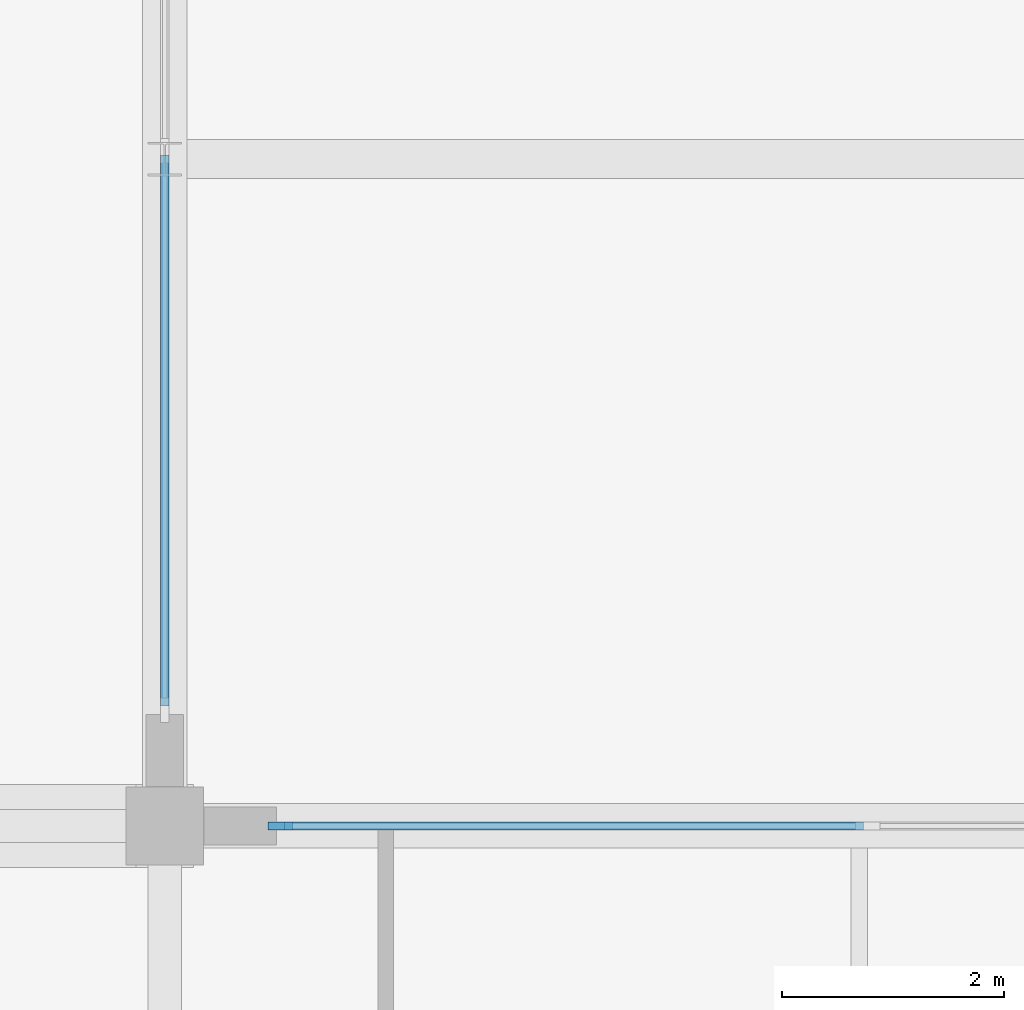
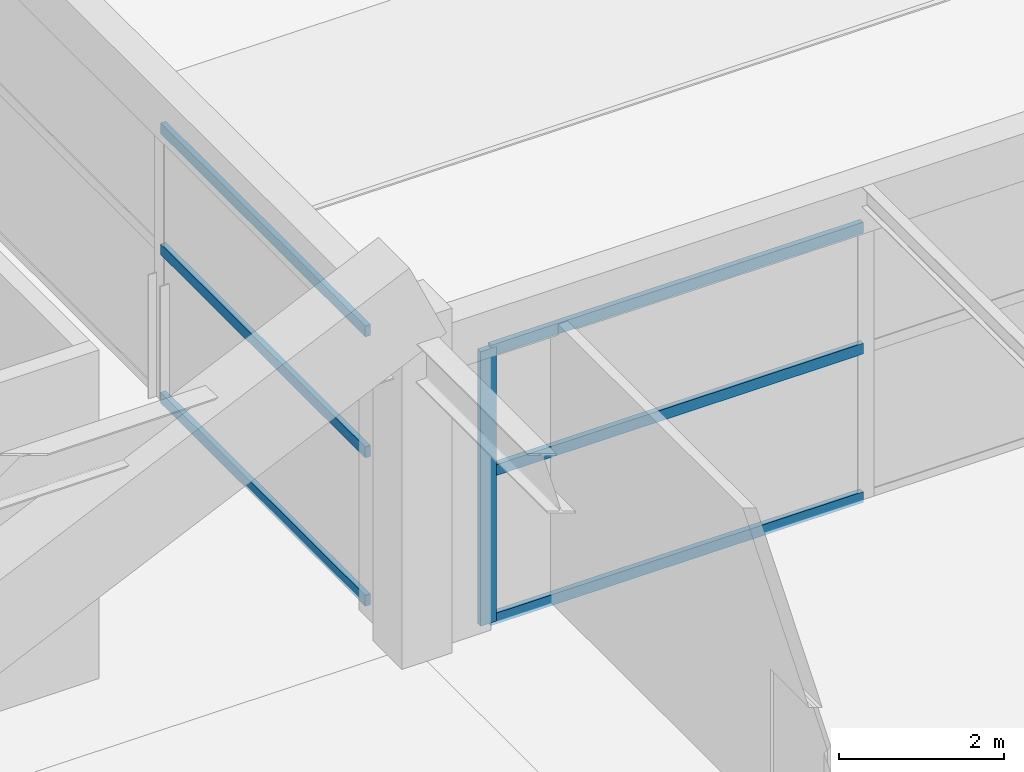
# One storey, part 51 of 128: 7 members, 2 elements without a shape of their own.
"""IFC4 building model written with IfcOpenShell, lengths in metres."""

from ifc_helpers import new_model, si_unit, direction, frame, origin, origin_2d, place, context, subcontext, project, spatial, rectangle, extrude, material, layer, layer_set, material_profile, profile_set, type_object, element, aggregate, save


model = new_model("IFC4")

# Units and contexts
model_context = context("Model", 3, precision=1e-05, world=origin(), true_north=direction((0.0, 1.0)))
body_context = subcontext(model_context, "Body", "Model", "MODEL_VIEW")
ifc_project = project(units=[si_unit("LENGTHUNIT", "METRE"), si_unit("AREAUNIT", "SQUARE_METRE"), si_unit("VOLUMEUNIT", "CUBIC_METRE"), si_unit("PLANEANGLEUNIT", "RADIAN"), si_unit("MASSUNIT", "GRAM", prefix="KILO")], contexts=[model_context])

# Site, building, storey
site_placement = place(None, origin())
site = spatial("IfcSite", under=ifc_project, at=site_placement, CompositionType="ELEMENT")
building_placement = place(site_placement, origin())
building = spatial("IfcBuilding", under=site, at=building_placement, Name="Kazenohara Klinker Stadium", CompositionType="ELEMENT")
storey_placement = place(building_placement, frame((0.0, 0.0, 15.300048828125)))
storey = spatial("IfcBuildingStorey", under=building, at=storey_placement, Name="L03", CompositionType="ELEMENT", Elevation=15.300048828125)

# Curtain wall, member
ifc_material_1 = material(Name="Anodised aluminium and triple glazing", Category="aluminium")
ifc_layer_1 = layer(ifc_material_1, 0.159912109375)
ifc_layer_set_1 = layer_set([ifc_layer_1], Name="Anodised aluminium and triple glazing")
curtain_wall_type_1 = type_object("IfcCurtainWallType", Name="CW-SYS-01", PredefinedType="USERDEFINED", material=ifc_layer_set_1)
curtain_wall_1_placement = place(storey_placement, origin())
curtain_wall_1 = element("IfcCurtainWall", 1, at=curtain_wall_1_placement, inside=storey, type_object=curtain_wall_type_1, Name="Unitised facade curtain wall CW01 L03 X15-6", ObjectType="UNITISED CURTAIN WALL", PredefinedType="USERDEFINED")
ifc_material_2 = material(Name="Anodised aluminium 6063-T6", Category="aluminium")
ifc_material_profile_1 = material_profile(ifc_material_2, rectangle(XDim=0.074951171875, YDim=0.219970703125, at=origin_2d()), Name="ALU-MUL-75x220")
ifc_profile_set_1 = profile_set([ifc_material_profile_1], Name="Anodised aluminium 6063-T6")
member_type_1 = type_object("IfcMemberType", Name="CW-MUL-220", PredefinedType="MULLION", material=ifc_profile_set_1)
member_1_placement = place(storey_placement, frame((188.54150390625, 72.0, 0.0), z_axis=(0.0, 0.0, 1.0), x_axis=(0.0, 1.0, 0.0)))
member_1 = element("IfcMember", 2, at=member_1_placement, type_object=member_type_1, Name="CW01 mullion 1", PredefinedType="MULLION", context=body_context, shape_type="SweptSolid", body=[
    extrude(rectangle(XDim=0.074951171875, YDim=0.219970703125, at=origin_2d()), origin(), (0.0, 0.0, 1.0), 4.06005859375),
])

# Curtain wall, members
ifc_layer_2 = layer(ifc_material_1, 0.169921875)
ifc_layer_set_2 = layer_set([ifc_layer_2], Name="Anodised aluminium and triple glazing")
curtain_wall_type_2 = type_object("IfcCurtainWallType", Name="CW-SYS-04", PredefinedType="USERDEFINED", material=ifc_layer_set_2)
curtain_wall_2_placement = place(storey_placement, origin())
curtain_wall_2 = element("IfcCurtainWall", 3, at=curtain_wall_2_placement, inside=storey, type_object=curtain_wall_type_2, Name="Unitised facade curtain wall CW04 L03 Y15-6", ObjectType="UNITISED CURTAIN WALL", PredefinedType="USERDEFINED")
ifc_material_profile_2 = material_profile(ifc_material_2, rectangle(XDim=0.074951171875, YDim=0.159912109375, at=origin_2d()), Name="ALU-TRN-75x160")
ifc_profile_set_2 = profile_set([ifc_material_profile_2], Name="Anodised aluminium 6063-T6")
member_type_2 = type_object("IfcMemberType", Name="CW-TRN-160", PredefinedType="USERDEFINED", material=ifc_profile_set_2)
member_2_placement = place(storey_placement, frame((187.5, 73.0791015625, 0.037353515625), z_axis=(0.0, 1.0, 0.0), x_axis=(-1.0, 0.0, 0.0)))
member_2 = element("IfcMember", 4, at=member_2_placement, type_object=member_type_2, Name="CW04 transom 1.1", ObjectType="TRANSOM", PredefinedType="USERDEFINED", context=body_context, shape_type="SweptSolid", body=[
    extrude(rectangle(XDim=0.074951171875, YDim=0.159912109375, at=origin_2d()), origin(), (0.0, 0.0, 1.0), 4.95849609375),
])
member_3_placement = place(storey_placement, frame((187.5, 73.0791015625, 2.23291015625), z_axis=(0.0, 1.0, 0.0), x_axis=(-1.0, 0.0, 0.0)))
member_3 = element("IfcMember", 5, at=member_3_placement, type_object=member_type_2, Name="CW04 transom 1.2", ObjectType="TRANSOM", PredefinedType="USERDEFINED", context=body_context, shape_type="SweptSolid", body=[
    extrude(rectangle(XDim=0.074951171875, YDim=0.159912109375, at=origin_2d()), origin(), (0.0, 0.0, 1.0), 4.95849609375),
])
member_4_placement = place(storey_placement, frame((187.5, 73.0791015625, 4.0224609375), z_axis=(0.0, 1.0, 0.0), x_axis=(-1.0, 0.0, 0.0)))
member_4 = element("IfcMember", 6, at=member_4_placement, type_object=member_type_2, Name="CW04 transom 1.3", ObjectType="TRANSOM", PredefinedType="USERDEFINED", context=body_context, shape_type="SweptSolid", body=[
    extrude(rectangle(XDim=0.074951171875, YDim=0.159912109375, at=origin_2d()), origin(), (0.0, 0.0, 1.0), 4.95849609375),
])
aggregate(curtain_wall_2, [member_2, member_3, member_4])

# Member
member_5_placement = place(storey_placement, frame((188.5791015625, 72.0, 0.037353515625), z_axis=(1.0, 0.0, 0.0), x_axis=(0.0, 1.0, 0.0)))
member_5 = element("IfcMember", 7, at=member_5_placement, type_object=member_type_2, Name="CW01 transom 1.1", ObjectType="TRANSOM", PredefinedType="USERDEFINED", context=body_context, shape_type="SweptSolid", body=[
    extrude(rectangle(XDim=0.074951171875, YDim=0.159912109375, at=origin_2d()), origin(), (0.0, 0.0, 1.0), 5.20849609375),
])

member_6_placement = place(storey_placement, frame((188.5791015625, 72.0, 2.23291015625), z_axis=(1.0, 0.0, 0.0), x_axis=(0.0, 1.0, 0.0)))
member_6 = element("IfcMember", 8, at=member_6_placement, type_object=member_type_2, Name="CW01 transom 1.2", ObjectType="TRANSOM", PredefinedType="USERDEFINED", context=body_context, shape_type="SweptSolid", body=[
    extrude(rectangle(XDim=0.074951171875, YDim=0.159912109375, at=origin_2d()), origin(), (0.0, 0.0, 1.0), 5.20849609375),
])

member_7_placement = place(storey_placement, frame((188.5791015625, 72.0, 4.0224609375), z_axis=(1.0, 0.0, 0.0), x_axis=(0.0, 1.0, 0.0)))
member_7 = element("IfcMember", 9, at=member_7_placement, type_object=member_type_2, Name="CW01 transom 1.3", ObjectType="TRANSOM", PredefinedType="USERDEFINED", context=body_context, shape_type="SweptSolid", body=[
    extrude(rectangle(XDim=0.074951171875, YDim=0.159912109375, at=origin_2d()), origin(), (0.0, 0.0, 1.0), 5.20849609375),
])

aggregate(curtain_wall_1, [member_1, member_5, member_6, member_7])

save(model, "model.ifc")
